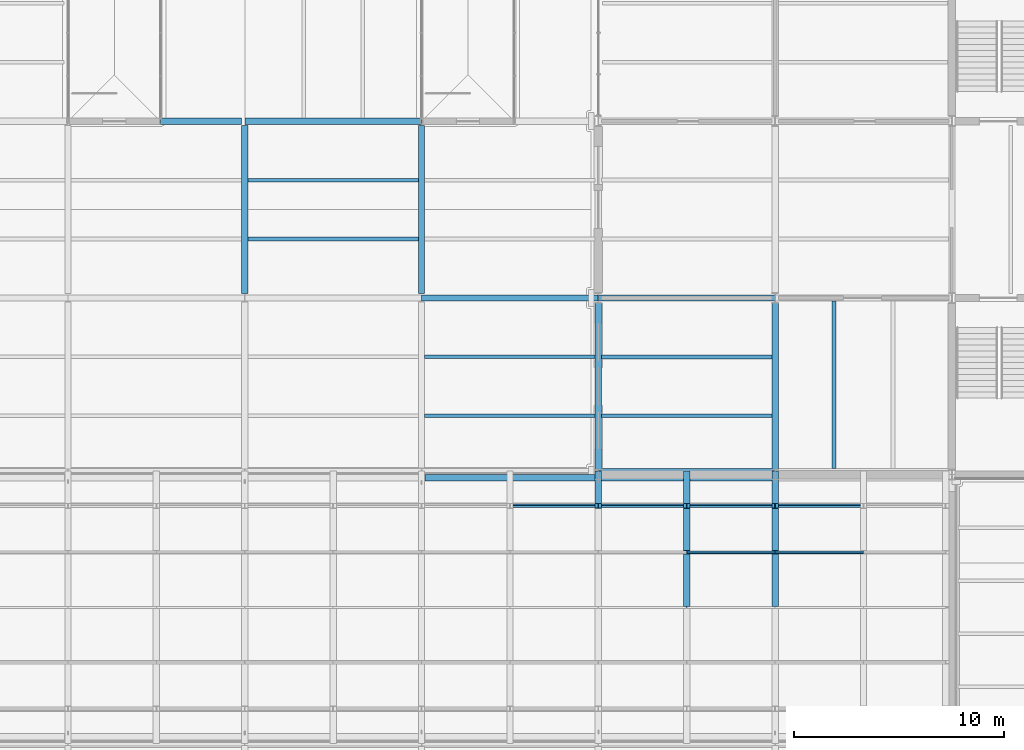
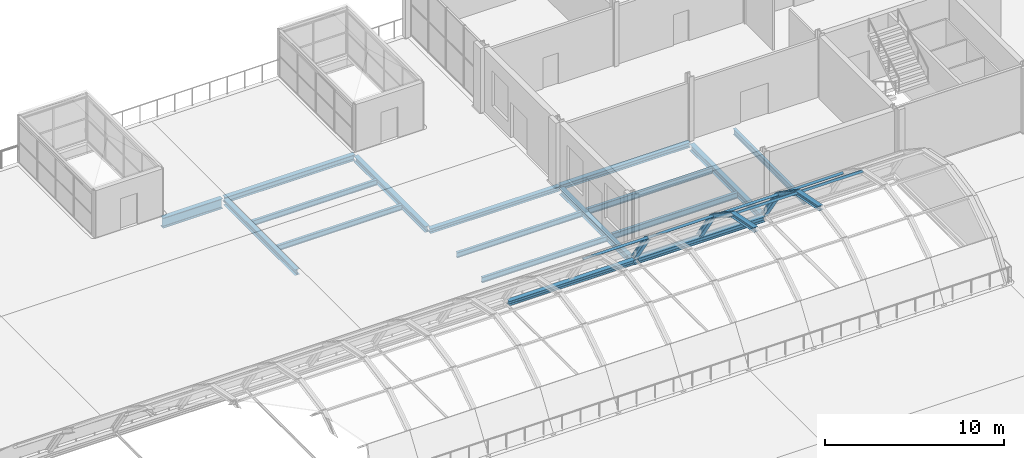
# One storey, part 28 of 58: 18 beams, 13 members.
"""IFC4 building model written with IfcOpenShell, lengths in metres."""

from ifc_helpers import new_model, si_unit, direction, frame, origin, origin_2d, place, context, subcontext, project, spatial, hollow_rectangle, i_section, extrude, material, material_profile, profile_set, type_object, element, save


model = new_model("IFC4")

# Units and contexts
model_context = context("Model", 3, precision=1e-05, world=origin(), true_north=direction((0.0, 1.0)))
body_context = subcontext(model_context, "Body", "Model", "MODEL_VIEW")
ifc_project = project(units=[si_unit("LENGTHUNIT", "METRE"), si_unit("AREAUNIT", "SQUARE_METRE"), si_unit("VOLUMEUNIT", "CUBIC_METRE"), si_unit("PLANEANGLEUNIT", "RADIAN"), si_unit("MASSUNIT", "GRAM", prefix="KILO")], contexts=[model_context])

# Site, building, storey
site_placement = place(None, origin())
site = spatial("IfcSite", under=ifc_project, at=site_placement, CompositionType="ELEMENT")
building_placement = place(site_placement, origin())
building = spatial("IfcBuilding", under=site, at=building_placement, Name="Galleria Vessillo Department Store", CompositionType="ELEMENT")
storey_placement = place(building_placement, frame((0.0, 0.0, 31.199951171875)))
storey = spatial("IfcBuildingStorey", under=building, at=storey_placement, Name="L06", CompositionType="ELEMENT", Elevation=31.199951171875)

# Beams
ifc_material_1 = material(Name="Steel S355 J2", Category="steel")
ifc_material_profile_1 = material_profile(ifc_material_1, i_section(OverallWidth=0.300048828125, OverallDepth=0.389892578125, WebThickness=0.010986328125, FlangeThickness=0.01904296875, FilletRadius=0.027099609375, at=origin_2d()), Name="HEA 400")
ifc_profile_set_1 = profile_set([ifc_material_profile_1], Name="Steel S355 J2")
beam_type_1 = type_object("IfcBeamType", Name="Floor girder HEA 400", PredefinedType="BEAM", material=ifc_profile_set_1)
beam_1_placement = place(storey_placement, frame((67.206787109375, 54.60009765625, -0.39501953125), z_axis=(1.0, 0.0, 0.0), x_axis=(0.0, 1.0, 0.0)))
element("IfcBeam", 1, at=beam_1_placement, inside=storey, type_object=beam_type_1, Name="S-BM-L06-GI-x54600-67207", PredefinedType="BEAM", context=body_context, shape_type="SweptSolid", body=[
    extrude(i_section(OverallWidth=0.300048828125, OverallDepth=0.389892578125, WebThickness=0.010986328125, FlangeThickness=0.01904296875, FilletRadius=0.027099609375, at=origin_2d()), origin(), (0.0, 0.0, 1.0), 8.38623046875),
])
for number, where, z_axis, x_axis, name in (
    (2, (67.199951171875, 46.400146484375, -0.39501953125), (0.0, 1.0, 0.0), (-1.0, 0.0, 0.0), "S-BM-L06-GI-y67200-46400"),
    (3, (75.60009765625, 46.400146484375, -0.39501953125), (0.0, 1.0, 0.0), (-1.0, 0.0, 0.0), "S-BM-L06-GI-y75600-46400"),
):
    element("IfcBeam", number, at=place(storey_placement, frame(where, z_axis=z_axis, x_axis=x_axis)), inside=storey, type_object=beam_type_1, Name=name, PredefinedType="BEAM", context=body_context, shape_type="SweptSolid", body=[
        extrude(i_section(OverallWidth=0.300048828125, OverallDepth=0.389892578125, WebThickness=0.010986328125, FlangeThickness=0.01904296875, FilletRadius=0.027099609375, at=origin_2d()), origin(), (0.0, 0.0, 1.0), 7.999755859375),
    ])
ifc_material_2 = material(Name="Steel S355 J2", Category="steel")
ifc_material_profile_2 = material_profile(ifc_material_2, i_section(OverallWidth=0.300048828125, OverallDepth=0.43994140625, WebThickness=0.011474609375, FlangeThickness=0.02099609375, FilletRadius=0.027099609375, at=origin_2d()), Name="HEA 450")
ifc_profile_set_2 = profile_set([ifc_material_profile_2], Name="Steel S355 J2")
beam_type_2 = type_object("IfcBeamType", Name="Floor girder HEA 450", PredefinedType="BEAM", material=ifc_profile_set_2)
for number, where, z_axis, x_axis, name in (
    (4, (84.0, 38.0390625, -0.419921875), (0.0, 1.0, 0.0), (-1.0, 0.0, 0.0), "S-BM-L06-GI-y84000-38039"),
    (5, (92.39990234375, 38.0390625, -0.369873046875), (0.0, 1.0, 0.0), (-1.0, 0.0, 0.0), "S-BM-L06-GI-y92400-38039"),
):
    element("IfcBeam", number, at=place(storey_placement, frame(where, z_axis=z_axis, x_axis=x_axis)), inside=storey, type_object=beam_type_2, Name=name, PredefinedType="BEAM", context=body_context, shape_type="SweptSolid", body=[
        extrude(i_section(OverallWidth=0.300048828125, OverallDepth=0.43994140625, WebThickness=0.011474609375, FlangeThickness=0.02099609375, FilletRadius=0.027099609375, at=origin_2d()), origin(), (0.0, 0.0, 1.0), 7.921875),
    ])
ifc_material_3 = material(Name="Steel S355 J2", Category="steel")
ifc_material_profile_3 = material_profile(ifc_material_3, i_section(OverallWidth=0.169921875, OverallDepth=0.360107421875, WebThickness=0.008056640625, FlangeThickness=0.0126953125, FilletRadius=0.01806640625, at=origin_2d()), Name="IPE 360")
ifc_profile_set_3 = profile_set([ifc_material_profile_3], Name="Steel S355 J2")
beam_type_3 = type_object("IfcBeamType", Name="Floor joist IPE 360", PredefinedType="JOIST", material=ifc_profile_set_3)
for number, where, z_axis, x_axis, name in (
    (6, (67.35009765625, 49.0, -0.3798828125), (1.0, 0.0, 0.0), (0.0, 1.0, 0.0), "S-BM-L06-JO-x49000-67350"),
    (7, (67.35009765625, 51.800048828125, -0.3798828125), (1.0, 0.0, 0.0), (0.0, 1.0, 0.0), "S-BM-L06-JO-x51800-67350"),
):
    element("IfcBeam", number, at=place(storey_placement, frame(where, z_axis=z_axis, x_axis=x_axis)), inside=storey, type_object=beam_type_3, Name=name, PredefinedType="JOIST", context=body_context, shape_type="SweptSolid", body=[
        extrude(i_section(OverallWidth=0.169921875, OverallDepth=0.360107421875, WebThickness=0.008056640625, FlangeThickness=0.0126953125, FilletRadius=0.01806640625, at=origin_2d()), origin(), (0.0, 0.0, 1.0), 8.099853515625),
    ])
for number, where, z_axis, x_axis, name in (
    (8, (75.750244140625, 40.60009765625, -0.3798828125), (1.0, 0.0, 0.0), (0.0, 1.0, 0.0), "S-BM-L06-JO-x40600-75750"),
    (9, (75.750244140625, 43.39990234375, -0.3798828125), (1.0, 0.0, 0.0), (0.0, 1.0, 0.0), "S-BM-L06-JO-x43400-75750"),
):
    element("IfcBeam", number, at=place(storey_placement, frame(where, z_axis=z_axis, x_axis=x_axis)), inside=storey, type_object=beam_type_3, Name=name, PredefinedType="JOIST", context=body_context, shape_type="SweptSolid", body=[
        extrude(i_section(OverallWidth=0.169921875, OverallDepth=0.360107421875, WebThickness=0.008056640625, FlangeThickness=0.0126953125, FilletRadius=0.01806640625, at=origin_2d()), origin(), (0.0, 0.0, 1.0), 8.099609375),
    ])
ifc_material_4 = material(Name="Steel S355 J2", Category="steel")
ifc_material_profile_4 = material_profile(ifc_material_4, i_section(OverallWidth=0.179931640625, OverallDepth=0.39990234375, WebThickness=0.008544921875, FlangeThickness=0.013427734375, FilletRadius=0.02099609375, at=origin_2d()), Name="IPE 400")
ifc_profile_set_4 = profile_set([ifc_material_profile_4], Name="Steel S355 J2")
beam_type_4 = type_object("IfcBeamType", Name="Floor joist IPE 400", PredefinedType="JOIST", material=ifc_profile_set_4)
for number, where, z_axis, x_axis, name in (
    (10, (84.150146484375, 40.60009765625, -0.349853515625), (1.0, 0.0, 0.0), (0.0, 1.0, 0.0), "S-BM-L06-JO-x40600-84150"),
    (11, (84.150146484375, 43.39990234375, -0.349853515625), (1.0, 0.0, 0.0), (0.0, 1.0, 0.0), "S-BM-L06-JO-x43400-84150"),
):
    element("IfcBeam", number, at=place(storey_placement, frame(where, z_axis=z_axis, x_axis=x_axis)), inside=storey, type_object=beam_type_4, Name=name, PredefinedType="JOIST", context=body_context, shape_type="SweptSolid", body=[
        extrude(i_section(OverallWidth=0.179931640625, OverallDepth=0.39990234375, WebThickness=0.008544921875, FlangeThickness=0.013427734375, FilletRadius=0.02099609375, at=origin_2d()), origin(), (0.0, 0.0, 1.0), 8.099609375),
    ])
beam_2_placement = place(storey_placement, frame((95.199951171875, 38.10009765625, -0.349853515625), z_axis=(0.0, 1.0, 0.0), x_axis=(-1.0, 0.0, 0.0)))
element("IfcBeam", 12, at=beam_2_placement, inside=storey, type_object=beam_type_4, Name="S-BM-L06-JO-y95200-38100", PredefinedType="JOIST", context=body_context, shape_type="SweptSolid", body=[
    extrude(i_section(OverallWidth=0.179931640625, OverallDepth=0.39990234375, WebThickness=0.008544921875, FlangeThickness=0.013427734375, FilletRadius=0.02099609375, at=origin_2d()), origin(), (0.0, 0.0, 1.0), 7.94970703125),
])
ifc_material_5 = material(Name="Steel S355 J2", Category="steel")
ifc_material_profile_5 = material_profile(ifc_material_5, i_section(OverallWidth=0.300048828125, OverallDepth=0.31005859375, WebThickness=0.009033203125, FlangeThickness=0.015380859375, FilletRadius=0.027099609375, at=origin_2d()), Name="HEA 320")
ifc_profile_set_5 = profile_set([ifc_material_profile_5], Name="Steel S355 J2")
beam_type_5 = type_object("IfcBeamType", Name="Floor tie girder HEA 320", PredefinedType="BEAM", material=ifc_profile_set_5)
beam_3_placement = place(storey_placement, frame((75.60693359375, 46.199951171875, -0.35498046875), z_axis=(1.0, 0.0, 0.0), x_axis=(0.0, 1.0, 0.0)))
element("IfcBeam", 13, at=beam_3_placement, inside=storey, type_object=beam_type_5, Name="S-BM-L06-TI-x46200-75607", PredefinedType="BEAM", context=body_context, shape_type="SweptSolid", body=[
    extrude(i_section(OverallWidth=0.300048828125, OverallDepth=0.31005859375, WebThickness=0.009033203125, FlangeThickness=0.015380859375, FilletRadius=0.027099609375, at=origin_2d()), origin(), (0.0, 0.0, 1.0), 8.38232421875),
])
ifc_material_6 = material(Name="Steel S355 J2", Category="steel")
ifc_material_profile_6 = material_profile(ifc_material_6, i_section(OverallWidth=0.300048828125, OverallDepth=0.330078125, WebThickness=0.009521484375, FlangeThickness=0.0166015625, FilletRadius=0.027099609375, at=origin_2d()), Name="HEA 340")
ifc_profile_set_6 = profile_set([ifc_material_profile_6], Name="Steel S355 J2")
beam_type_6 = type_object("IfcBeamType", Name="Floor tie girder HEA 340", PredefinedType="BEAM", material=ifc_profile_set_6)
beam_4_placement = place(storey_placement, frame((84.0107421875, 46.199951171875, -0.31494140625), z_axis=(1.0, 0.0, 0.0), x_axis=(0.0, 1.0, 0.0)))
element("IfcBeam", 14, at=beam_4_placement, inside=storey, type_object=beam_type_6, Name="S-BM-L06-TI-x46200-84011", PredefinedType="BEAM", context=body_context, shape_type="SweptSolid", body=[
    extrude(i_section(OverallWidth=0.300048828125, OverallDepth=0.330078125, WebThickness=0.009521484375, FlangeThickness=0.0166015625, FilletRadius=0.027099609375, at=origin_2d()), origin(), (0.0, 0.0, 1.0), 8.378662109375),
])
ifc_material_7 = material(Name="Steel S355 J2", Category="steel")
ifc_material_profile_7 = material_profile(ifc_material_7, i_section(OverallWidth=0.300048828125, OverallDepth=0.68994140625, WebThickness=0.014404296875, FlangeThickness=0.027099609375, FilletRadius=0.027099609375, at=origin_2d()), Name="HEA 700")
ifc_profile_set_7 = profile_set([ifc_material_profile_7], Name="Steel S355 J2")
beam_type_7 = type_object("IfcBeamType", Name="Pavilion base beam HEA 700", PredefinedType="BEAM", material=ifc_profile_set_7)
beam_5_placement = place(storey_placement, frame((63.2001953125, 54.60009765625, -0.544921875), z_axis=(1.0, 0.0, 0.0), x_axis=(0.0, 1.0, 0.0)))
element("IfcBeam", 15, at=beam_5_placement, inside=storey, type_object=beam_type_7, Name="S-BB-ST11-DE2", PredefinedType="BEAM", context=body_context, shape_type="SweptSolid", body=[
    extrude(i_section(OverallWidth=0.300048828125, OverallDepth=0.68994140625, WebThickness=0.014404296875, FlangeThickness=0.027099609375, FilletRadius=0.027099609375, at=origin_2d()), origin(), (0.0, 0.0, 1.0), 3.849609375),
])
ifc_material_8 = material(Name="Steel S355 J2", Category="steel")
ifc_material_profile_8 = material_profile(ifc_material_8, i_section(OverallWidth=0.300048828125, OverallDepth=0.43994140625, WebThickness=0.011474609375, FlangeThickness=0.02099609375, FilletRadius=0.027099609375, at=origin_2d()), Name="HEA 450")
ifc_profile_set_8 = profile_set([ifc_material_profile_8], Name="Steel S355 J2")
beam_type_8 = type_object("IfcBeamType", Name="Trimmer beam HEA 450", PredefinedType="BEAM", material=ifc_profile_set_8)
beam_6_placement = place(storey_placement, frame((84.0107421875, 37.949951171875, -0.369873046875), z_axis=(1.0, 0.0, 0.0), x_axis=(0.0, 1.0, 0.0)))
element("IfcBeam", 16, at=beam_6_placement, inside=storey, type_object=beam_type_8, Name="S-BM-L06-TR-x37950-84011", PredefinedType="BEAM", context=body_context, shape_type="SweptSolid", body=[
    extrude(i_section(OverallWidth=0.300048828125, OverallDepth=0.43994140625, WebThickness=0.011474609375, FlangeThickness=0.02099609375, FilletRadius=0.027099609375, at=origin_2d()), origin(), (0.0, 0.0, 1.0), 8.378662109375),
])

# Members
ifc_material_9 = material(Name="Steel S355 J2", Category="steel")
ifc_material_profile_9 = material_profile(ifc_material_9, hollow_rectangle(XDim=0.10009765625, YDim=0.14990234375, WallThickness=0.008056640625, at=origin_2d()), Name="RHS 150x100x8")
ifc_profile_set_9 = profile_set([ifc_material_profile_9], Name="Steel S355 J2")
member_type_1 = type_object("IfcMemberType", Name="Vault purlin RHS 150x100x8", PredefinedType="PURLIN", material=ifc_profile_set_9)
member_1_placement = place(storey_placement, frame((88.2041015625, 34.107421875, 3.682373046875), z_axis=(1.0, 0.0, 0.0), x_axis=(0.0, 0.924144726715, -0.38204256842)))
element("IfcMember", 17, at=member_1_placement, inside=storey, type_object=member_type_1, Name="S-VP-4-18", PredefinedType="PURLIN", context=body_context, shape_type="SweptSolid", body=[
    extrude(hollow_rectangle(XDim=0.10009765625, YDim=0.14990234375, WallThickness=0.008056640625, at=origin_2d()), origin(), (0.0, 0.0, 1.0), 4.191650390625),
])
member_2_placement = place(storey_placement, frame((92.404052734375, 34.107421875, 3.682373046875), z_axis=(1.0, 0.0, 0.0), x_axis=(0.0, 0.924144726715, -0.38204256842)))
element("IfcMember", 18, at=member_2_placement, inside=storey, type_object=member_type_1, Name="S-VP-4-19", PredefinedType="PURLIN", context=body_context, shape_type="SweptSolid", body=[
    extrude(hollow_rectangle(XDim=0.10009765625, YDim=0.14990234375, WallThickness=0.008056640625, at=origin_2d()), origin(), (0.0, 0.0, 1.0), 4.19189453125),
])
for number, where, z_axis, x_axis, name in (
    (19, (79.80419921875, 36.3193359375, 2.207763671875), (1.0, 0.0, 0.0), (0.0, 0.708077368705, -0.70613485959), "S-VP-5-16"),
    (20, (84.004150390625, 36.3193359375, 2.207763671875), (1.0, 0.0, 0.0), (0.0, 0.708077368705, -0.70613485959), "S-VP-5-17"),
    (21, (88.2041015625, 36.3193359375, 2.207763671875), (1.0, 0.0, 0.0), (0.0, 0.708077368705, -0.70613485959), "S-VP-5-18"),
):
    element("IfcMember", number, at=place(storey_placement, frame(where, z_axis=z_axis, x_axis=x_axis)), inside=storey, type_object=member_type_1, Name=name, PredefinedType="PURLIN", context=body_context, shape_type="SweptSolid", body=[
        extrude(hollow_rectangle(XDim=0.10009765625, YDim=0.14990234375, WallThickness=0.008056640625, at=origin_2d()), origin(), (0.0, 0.0, 1.0), 4.191650390625),
    ])
member_3_placement = place(storey_placement, frame((92.404052734375, 36.3193359375, 2.207763671875), z_axis=(1.0, 0.0, 0.0), x_axis=(0.0, 0.708077368705, -0.70613485959)))
element("IfcMember", 22, at=member_3_placement, inside=storey, type_object=member_type_1, Name="S-VP-5-19", PredefinedType="PURLIN", context=body_context, shape_type="SweptSolid", body=[
    extrude(hollow_rectangle(XDim=0.10009765625, YDim=0.14990234375, WallThickness=0.008056640625, at=origin_2d()), origin(), (0.0, 0.0, 1.0), 4.19189453125),
])
ifc_material_10 = material(Name="Steel S355 J2", Category="steel")
ifc_material_profile_10 = material_profile(ifc_material_10, i_section(OverallWidth=0.300048828125, OverallDepth=0.2900390625, WebThickness=0.008544921875, FlangeThickness=0.013916015625, FilletRadius=0.027099609375, at=origin_2d()), Name="HEA 300")
ifc_profile_set_10 = profile_set([ifc_material_profile_10], Name="Steel S355 J2")
member_type_2 = type_object("IfcMemberType", Name="Vault rib HEA 300", PredefinedType="RAFTER", material=ifc_profile_set_10)
member_4_placement = place(storey_placement, frame((84.0, 36.3193359375, 2.207763671875), z_axis=(0.0, 0.557008391095, -0.830506864661), x_axis=(-1.0, 0.0, 0.0)))
element("IfcMember", 23, at=member_4_placement, inside=storey, type_object=member_type_2, Name="S-VR-17-6", PredefinedType="RAFTER", context=body_context, shape_type="SweptSolid", body=[
    extrude(i_section(OverallWidth=0.300048828125, OverallDepth=0.2900390625, WebThickness=0.008544921875, FlangeThickness=0.013916015625, FilletRadius=0.027099609375, at=origin_2d()), origin(), (0.0, 0.0, 1.0), 2.755615234375),
])
member_5_placement = place(storey_placement, frame((88.199951171875, 31.5, 4.199951171875), z_axis=(0.0, 0.980862245521, -0.194702992557), x_axis=(-1.0, 0.0, 0.0)))
element("IfcMember", 24, at=member_5_placement, inside=storey, type_object=member_type_2, Name="S-VR-18-4", PredefinedType="RAFTER", context=body_context, shape_type="SweptSolid", body=[
    extrude(i_section(OverallWidth=0.300048828125, OverallDepth=0.2900390625, WebThickness=0.008544921875, FlangeThickness=0.013916015625, FilletRadius=0.027099609375, at=origin_2d()), origin(), (0.0, 0.0, 1.0), 2.658203125),
])
member_6_placement = place(storey_placement, frame((88.199951171875, 34.107421875, 3.682373046875), z_axis=(0.0, 0.832050294338, -0.554700196225), x_axis=(-1.0, 0.0, 0.0)))
element("IfcMember", 25, at=member_6_placement, inside=storey, type_object=member_type_2, Name="S-VR-18-5", PredefinedType="RAFTER", context=body_context, shape_type="SweptSolid", body=[
    extrude(i_section(OverallWidth=0.300048828125, OverallDepth=0.2900390625, WebThickness=0.008544921875, FlangeThickness=0.013916015625, FilletRadius=0.027099609375, at=origin_2d()), origin(), (0.0, 0.0, 1.0), 2.658447265625),
])
member_7_placement = place(storey_placement, frame((88.199951171875, 36.3193359375, 2.207763671875), z_axis=(0.0, 0.557008391095, -0.830506864661), x_axis=(-1.0, 0.0, 0.0)))
element("IfcMember", 26, at=member_7_placement, inside=storey, type_object=member_type_2, Name="S-VR-18-6", PredefinedType="RAFTER", context=body_context, shape_type="SweptSolid", body=[
    extrude(i_section(OverallWidth=0.300048828125, OverallDepth=0.2900390625, WebThickness=0.008544921875, FlangeThickness=0.013916015625, FilletRadius=0.027099609375, at=origin_2d()), origin(), (0.0, 0.0, 1.0), 2.755615234375),
])
member_8_placement = place(storey_placement, frame((92.39990234375, 31.5, 4.199951171875), z_axis=(0.0, 0.980862245521, -0.194702992557), x_axis=(-1.0, 0.0, 0.0)))
element("IfcMember", 27, at=member_8_placement, inside=storey, type_object=member_type_2, Name="S-VR-19-4", PredefinedType="RAFTER", context=body_context, shape_type="SweptSolid", body=[
    extrude(i_section(OverallWidth=0.300048828125, OverallDepth=0.2900390625, WebThickness=0.008544921875, FlangeThickness=0.013916015625, FilletRadius=0.027099609375, at=origin_2d()), origin(), (0.0, 0.0, 1.0), 2.658203125),
])
member_9_placement = place(storey_placement, frame((92.39990234375, 34.107421875, 3.682373046875), z_axis=(0.0, 0.832050294338, -0.554700196225), x_axis=(-1.0, 0.0, 0.0)))
element("IfcMember", 28, at=member_9_placement, inside=storey, type_object=member_type_2, Name="S-VR-19-5", PredefinedType="RAFTER", context=body_context, shape_type="SweptSolid", body=[
    extrude(i_section(OverallWidth=0.300048828125, OverallDepth=0.2900390625, WebThickness=0.008544921875, FlangeThickness=0.013916015625, FilletRadius=0.027099609375, at=origin_2d()), origin(), (0.0, 0.0, 1.0), 2.658447265625),
])
member_10_placement = place(storey_placement, frame((92.39990234375, 36.3193359375, 2.207763671875), z_axis=(0.0, 0.557008391095, -0.830506864661), x_axis=(-1.0, 0.0, 0.0)))
element("IfcMember", 29, at=member_10_placement, inside=storey, type_object=member_type_2, Name="S-VR-19-6", PredefinedType="RAFTER", context=body_context, shape_type="SweptSolid", body=[
    extrude(i_section(OverallWidth=0.300048828125, OverallDepth=0.2900390625, WebThickness=0.008544921875, FlangeThickness=0.013916015625, FilletRadius=0.027099609375, at=origin_2d()), origin(), (0.0, 0.0, 1.0), 2.755615234375),
])

# Beams
ifc_material_11 = material(Name="Steel S355 J2", Category="steel")
ifc_material_profile_11 = material_profile(ifc_material_11, i_section(OverallWidth=0.300048828125, OverallDepth=0.300048828125, WebThickness=0.010986328125, FlangeThickness=0.01904296875, FilletRadius=0.027099609375, at=origin_2d()), Name="HEB 300")
ifc_profile_set_11 = profile_set([ifc_material_profile_11], Name="Steel S355 J2")
beam_type_9 = type_object("IfcBeamType", Name="Vault springer beam HEB 300", PredefinedType="BEAM", material=ifc_profile_set_11)
beam_7_placement = place(storey_placement, frame((75.752685546875, 37.64990234375, -0.14990234375), z_axis=(1.0, 0.0, 0.0), x_axis=(0.0, 1.0, 0.0)))
element("IfcBeam", 30, at=beam_7_placement, inside=storey, type_object=beam_type_9, Name="S-VS-N-08", PredefinedType="BEAM", context=body_context, shape_type="SweptSolid", body=[
    extrude(i_section(OverallWidth=0.300048828125, OverallDepth=0.300048828125, WebThickness=0.010986328125, FlangeThickness=0.01904296875, FilletRadius=0.027099609375, at=origin_2d()), origin(), (0.0, 0.0, 1.0), 8.09375),
])
ifc_material_12 = material(Name="Steel S355 J2", Category="steel")
ifc_material_profile_12 = material_profile(ifc_material_12, i_section(OverallWidth=0.300048828125, OverallDepth=0.340087890625, WebThickness=0.011962890625, FlangeThickness=0.021484375, FilletRadius=0.027099609375, at=origin_2d()), Name="HEB 340")
ifc_profile_set_12 = profile_set([ifc_material_profile_12], Name="Steel S355 J2")
beam_type_10 = type_object("IfcBeamType", Name="Vault springer beam HEB 340", PredefinedType="BEAM", material=ifc_profile_set_12)
beam_8_placement = place(storey_placement, frame((84.153564453125, 37.64990234375, -0.14990234375), z_axis=(1.0, 0.0, 0.0), x_axis=(0.0, 1.0, 0.0)))
element("IfcBeam", 31, at=beam_8_placement, inside=storey, type_object=beam_type_10, Name="S-VS-N-09", PredefinedType="BEAM", context=body_context, shape_type="SweptSolid", body=[
    extrude(i_section(OverallWidth=0.300048828125, OverallDepth=0.340087890625, WebThickness=0.011962890625, FlangeThickness=0.021484375, FilletRadius=0.027099609375, at=origin_2d()), origin(), (0.0, 0.0, 1.0), 8.0927734375),
])

save(model, "model.ifc")
